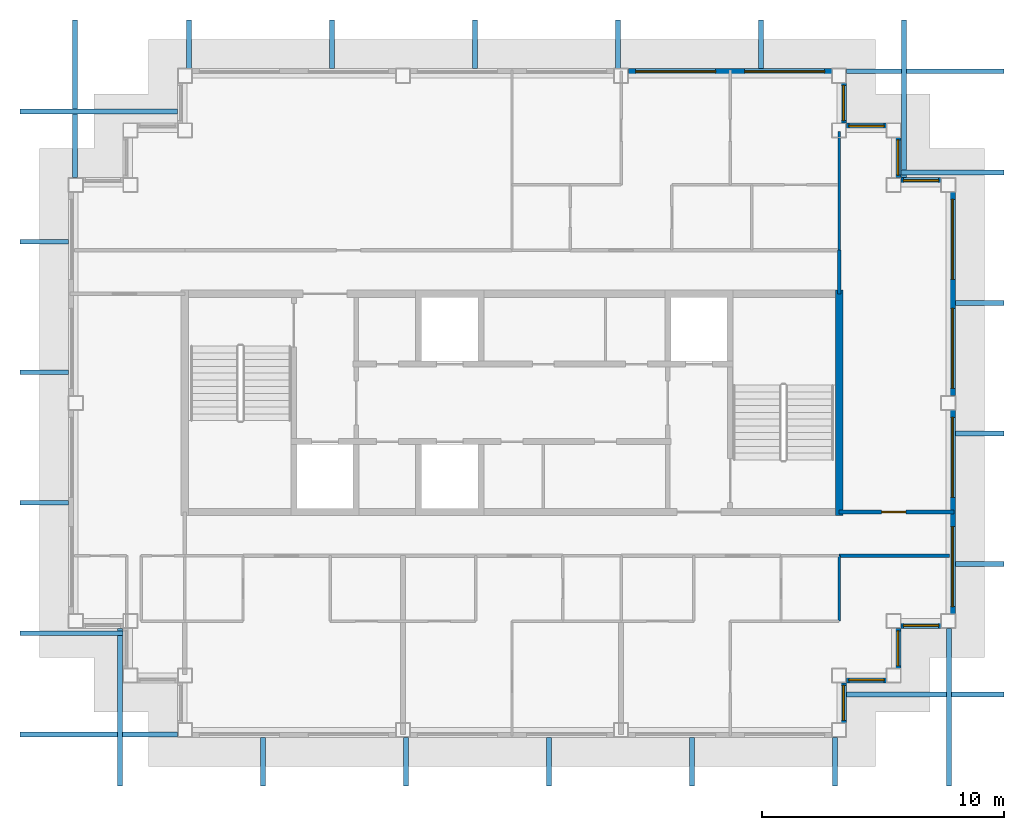
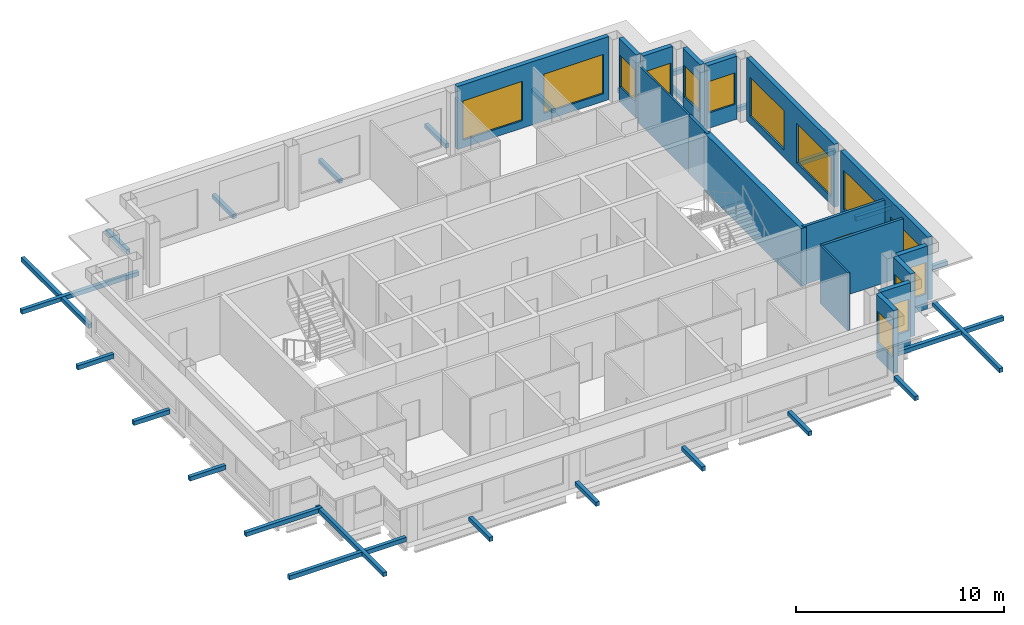
# One storey, part 5 of 10: 26 discrete accessories, 17 walls, 14 windows, 1 door, 15 openings.
"""IFC4 building model written with IfcOpenShell, lengths in metres."""

from ifc_helpers import new_model, si_unit, direction, frame, frame_2d, origin, origin_2d, place, context, subcontext, project, spatial, rectangle, extrude, material, layer, layer_set, type_object, element, fill, save


model = new_model("IFC4")

# Units and contexts
model_context = context("Model", 3, precision=1e-05, world=origin(), true_north=direction((0.0, 1.0)))
body_context = subcontext(model_context, "Body", "Model", "MODEL_VIEW")
ifc_project = project(units=[si_unit("LENGTHUNIT", "METRE"), si_unit("AREAUNIT", "SQUARE_METRE"), si_unit("VOLUMEUNIT", "CUBIC_METRE"), si_unit("PLANEANGLEUNIT", "RADIAN"), si_unit("MASSUNIT", "GRAM", prefix="KILO")], contexts=[model_context])

# Site, building, storey
site_placement = place(None, origin())
site = spatial("IfcSite", under=ifc_project, at=site_placement, CompositionType="ELEMENT")
building_placement = place(site_placement, origin())
building = spatial("IfcBuilding", under=site, at=building_placement, Name="Caravel Reach Hotel and Residences", CompositionType="ELEMENT")
storey_placement = place(building_placement, frame((0.0, 0.0, 290.800048828125)))
storey = spatial("IfcBuildingStorey", under=building, at=storey_placement, Name="L74", CompositionType="ELEMENT", Elevation=290.800048828125)

# Walls
ifc_material_1 = material(Name="Gypsum board on steel stud", Category="steel")
ifc_layer_1 = layer(ifc_material_1, 0.10009765625)
ifc_layer_set_1 = layer_set([ifc_layer_1], Name="Bathroom pod wall 100 mm")
wall_type_1 = type_object("IfcWallType", Name="Bathroom pod wall 100 mm", PredefinedType="PARTITIONING", material=ifc_layer_set_1)
wall_1_placement = place(storey_placement, frame((45.0, 18.0, 0.0), z_axis=(0.0, 0.0, 1.0), x_axis=(0.0, 1.0, 0.0)))
element("IfcWall", 1, at=wall_1_placement, inside=storey, type_object=wall_type_1, Name="L74 wall w062", PredefinedType="PARTITIONING", context=body_context, shape_type="SweptSolid", body=[
    extrude(rectangle(XDim=2.698974609375, YDim=0.10009765625, at=frame_2d((1.349609375, 0.0))), origin(), (0.0, 0.0, 1.0), 3.39990234375),
])
ifc_material_2 = material(Name="Concrete C60", Category="concrete")
ifc_layer_2 = layer(ifc_material_2, 0.300048828125)
ifc_layer_set_2 = layer_set([ifc_layer_2], Name="Core wall 300 mm EI 120")
wall_type_2 = type_object("IfcWallType", Name="Core wall 300 mm EI 120", PredefinedType="SHEAR", material=ifc_layer_set_2)
wall_2_placement = place(storey_placement, frame((45.0, 22.35009765625, 0.0), z_axis=(0.0, 0.0, 1.0), x_axis=(0.0, 1.0, 0.0)))
element("IfcWall", 2, at=wall_2_placement, inside=storey, type_object=wall_type_2, Name="L74 core wall E", PredefinedType="SHEAR", context=body_context, shape_type="SweptSolid", body=[
    extrude(rectangle(XDim=9.2998046875, YDim=0.300048828125, at=frame_2d((4.64990234375, 0.0))), origin(), (0.0, 0.0, 1.0), 3.39990234375),
])
ifc_material_3 = material(Name="Gypsum board on steel stud, fire-rated", Category="steel")
ifc_layer_3 = layer(ifc_material_3, 0.14990234375)
ifc_layer_set_3 = layer_set([ifc_layer_3], Name="Corridor wall 150 mm EI 60")
wall_type_3 = type_object("IfcWallType", Name="Corridor wall 150 mm EI 60", PredefinedType="PARTITIONING", material=ifc_layer_set_3)
wall_3_placement = place(storey_placement, frame((45.0009765625, 20.699951171875, 0.0), z_axis=(0.0, 0.0, 1.0), x_axis=(1.0, 0.0, 0.0)))
element("IfcWall", 3, at=wall_3_placement, inside=storey, type_object=wall_type_3, Name="L74 wall w005", PredefinedType="PARTITIONING", context=body_context, shape_type="SweptSolid", body=[
    extrude(rectangle(XDim=4.549072265625, YDim=0.14990234375, at=frame_2d((2.2744140625, 0.0))), origin(), (0.0, 0.0, 1.0), 3.39990234375),
])

# Wall, opening, door
wall_4_placement = place(storey_placement, frame((45.0, 22.5, 0.0), z_axis=(0.0, 0.0, 1.0), x_axis=(1.0, 0.0, 0.0)))
wall_4 = element("IfcWall", 4, at=wall_4_placement, inside=storey, type_object=wall_type_3, Name="L74 wall w008", PredefinedType="PARTITIONING", context=body_context, shape_type="SweptSolid", body=[
    extrude(rectangle(XDim=4.739990234375, YDim=0.14990234375, at=frame_2d((2.3701171875, 0.0))), origin(), (0.0, 0.0, 1.0), 3.39990234375),
])
opening_1_placement = place(wall_4_placement, frame((1.75, 0.0, 0.0)))
opening_1 = element("IfcOpeningElement", 5, at=opening_1_placement, cuts=wall_4, Name="Opening D74-038", PredefinedType="OPENING", context=body_context, shape_type="SweptSolid", body=[
    extrude(rectangle(XDim=1.0, YDim=2.10009765625, at=frame_2d((0.5, 1.050048828125))), frame((0.0, 0.0849609375, 0.0), z_axis=(0.0, -1.0, 0.0), x_axis=(1.0, 0.0, 0.0)), (0.0, 0.0, 1.0), 0.169921875),
])
ifc_material_4 = material(Name="Steel fire door leaf", Category="steel")
door_type = type_object("IfcDoorType", Name="Fire door 1000 x 2100 EI 60", OperationType="SINGLE_SWING_LEFT", PredefinedType="DOOR", material=ifc_material_4)
door_placement = place(opening_1_placement, origin())
door = element("IfcDoor", 6, at=door_placement, inside=storey, type_object=door_type, Name="door D74-038", OperationType="SINGLE_SWING_LEFT", OverallHeight=2.10009765625, OverallWidth=1.0, PredefinedType="DOOR", context=body_context, shape_type="SweptSolid", body=[
    extrude(rectangle(XDim=1.0, YDim=2.10009765625, at=frame_2d((0.5, 1.050048828125))), frame((0.0, 0.02490234375, 0.0), z_axis=(0.0, -1.0, 0.0), x_axis=(1.0, 0.0, 0.0)), (0.0, 0.0, 1.0), 0.050048828125),
])
fill(opening_1, door)

# Wall
wall_5_placement = place(storey_placement, frame((45.0, 31.5, 0.0), z_axis=(0.0, 0.0, 1.0), x_axis=(0.0, 1.0, 0.0)))
element("IfcWall", 7, at=wall_5_placement, inside=storey, type_object=wall_type_3, Name="L74 wall w016", PredefinedType="PARTITIONING", context=body_context, shape_type="SweptSolid", body=[
    extrude(rectangle(XDim=1.800048828125, YDim=0.14990234375, at=frame_2d((0.89990234375, 0.0))), origin(), (0.0, 0.0, 1.0), 3.39990234375),
])

# Wall, opening, window
ifc_material_5 = material(Name="Insulated rainscreen wall, aluminium cladding", Category="aluminium")
ifc_layer_4 = layer(ifc_material_5, 0.25)
ifc_layer_set_4 = layer_set([ifc_layer_4], Name="EW1 Tower rainscreen wall")
wall_type_4 = type_object("IfcWallType", Name="EW1 Tower rainscreen wall", PredefinedType="SOLIDWALL", material=ifc_layer_set_4)
wall_6_placement = place(storey_placement, frame((45.175048828125, 13.800048828125, 0.0), z_axis=(0.0, 0.0, 1.0), x_axis=(0.0, 1.0, 0.0)))
wall_6 = element("IfcWall", 8, at=wall_6_placement, inside=storey, type_object=wall_type_4, Name="External wall L74 E1.1", PredefinedType="SOLIDWALL", context=body_context, shape_type="SweptSolid", body=[
    extrude(rectangle(XDim=1.64990234375, YDim=0.25, at=frame_2d((0.824951171875, 0.0))), origin(), (0.0, 0.0, 1.0), 3.699951171875),
])
opening_2_placement = place(wall_6_placement, frame((0.10009765625, 0.0, 0.89990234375)))
opening_2 = element("IfcOpeningElement", 9, at=opening_2_placement, cuts=wall_6, Name="Opening WN25", PredefinedType="OPENING", context=body_context, shape_type="SweptSolid", body=[
    extrude(rectangle(XDim=1.449951171875, YDim=1.85009765625, at=frame_2d((0.72509765625, 0.925048828125))), frame((0.0, 0.135009765625, 0.0), z_axis=(0.0, -1.0, 0.0), x_axis=(1.0, 0.0, 0.0)), (0.0, 0.0, 1.0), 0.27001953125),
])
ifc_material_6 = material(Name="Dark low-e glazing in black aluminium frame", Category="aluminium")
window_type_1 = type_object("IfcWindowType", Name="Residence bedroom window 1450 x 1850", PartitioningType="SINGLE_PANEL", PredefinedType="WINDOW", material=ifc_material_6)
window_1_placement = place(opening_2_placement, origin())
window_1 = element("IfcWindow", 10, at=window_1_placement, inside=storey, type_object=window_type_1, Name="Window L74 E1.1.1", OverallHeight=1.85009765625, OverallWidth=1.449951171875, PartitioningType="SINGLE_PANEL", PredefinedType="WINDOW", context=body_context, shape_type="SweptSolid", body=[
    extrude(rectangle(XDim=1.449951171875, YDim=1.85009765625, at=frame_2d((0.72509765625, 0.925048828125))), frame((0.0, 0.030029296875, 0.0), z_axis=(0.0, -1.0, 0.0), x_axis=(1.0, 0.0, 0.0)), (0.0, 0.0, 1.0), 0.06005859375),
])
fill(opening_2, window_1)

wall_7_placement = place(storey_placement, frame((45.300048828125, 15.574951171875, 0.0), z_axis=(0.0, 0.0, 1.0), x_axis=(1.0, 0.0, 0.0)))
wall_7 = element("IfcWall", 11, at=wall_7_placement, inside=storey, type_object=wall_type_4, Name="External wall L74 S2.1", PredefinedType="SOLIDWALL", context=body_context, shape_type="SweptSolid", body=[
    extrude(rectangle(XDim=1.64990234375, YDim=0.25, at=frame_2d((0.824951171875, 0.0))), origin(), (0.0, 0.0, 1.0), 3.699951171875),
])
opening_3_placement = place(wall_7_placement, frame((0.10009765625, 0.0, 0.89990234375)))
opening_3 = element("IfcOpeningElement", 12, at=opening_3_placement, cuts=wall_7, Name="Opening WN25", PredefinedType="OPENING", context=body_context, shape_type="SweptSolid", body=[
    extrude(rectangle(XDim=1.449951171875, YDim=1.85009765625, at=frame_2d((0.72509765625, 0.925048828125))), frame((0.0, 0.135009765625, 0.0), z_axis=(0.0, -1.0, 0.0), x_axis=(1.0, 0.0, 0.0)), (0.0, 0.0, 1.0), 0.27001953125),
])
window_2_placement = place(opening_3_placement, origin())
window_2 = element("IfcWindow", 13, at=window_2_placement, inside=storey, type_object=window_type_1, Name="Window L74 S2.1.1", OverallHeight=1.85009765625, OverallWidth=1.449951171875, PartitioningType="SINGLE_PANEL", PredefinedType="WINDOW", context=body_context, shape_type="SweptSolid", body=[
    extrude(rectangle(XDim=1.449951171875, YDim=1.85009765625, at=frame_2d((0.72509765625, 0.925048828125))), frame((0.0, 0.030029296875, 0.0), z_axis=(0.0, -1.0, 0.0), x_axis=(1.0, 0.0, 0.0)), (0.0, 0.0, 1.0), 0.06005859375),
])
fill(opening_3, window_2)

wall_8_placement = place(storey_placement, frame((47.425048828125, 16.050048828125, 0.0), z_axis=(0.0, 0.0, 1.0), x_axis=(0.0, 1.0, 0.0)))
wall_8 = element("IfcWall", 14, at=wall_8_placement, inside=storey, type_object=wall_type_4, Name="External wall L74 E3.1", PredefinedType="SOLIDWALL", context=body_context, shape_type="SweptSolid", body=[
    extrude(rectangle(XDim=1.64990234375, YDim=0.25, at=frame_2d((0.824951171875, 0.0))), origin(), (0.0, 0.0, 1.0), 3.699951171875),
])
opening_4_placement = place(wall_8_placement, frame((0.10009765625, 0.0, 0.89990234375)))
opening_4 = element("IfcOpeningElement", 15, at=opening_4_placement, cuts=wall_8, Name="Opening WN25", PredefinedType="OPENING", context=body_context, shape_type="SweptSolid", body=[
    extrude(rectangle(XDim=1.449951171875, YDim=1.85009765625, at=frame_2d((0.72509765625, 0.925048828125))), frame((0.0, 0.135009765625, 0.0), z_axis=(0.0, -1.0, 0.0), x_axis=(1.0, 0.0, 0.0)), (0.0, 0.0, 1.0), 0.27001953125),
])
window_3_placement = place(opening_4_placement, origin())
window_3 = element("IfcWindow", 16, at=window_3_placement, inside=storey, type_object=window_type_1, Name="Window L74 E3.1.1", OverallHeight=1.85009765625, OverallWidth=1.449951171875, PartitioningType="SINGLE_PANEL", PredefinedType="WINDOW", context=body_context, shape_type="SweptSolid", body=[
    extrude(rectangle(XDim=1.449951171875, YDim=1.85009765625, at=frame_2d((0.72509765625, 0.925048828125))), frame((0.0, 0.030029296875, 0.0), z_axis=(0.0, -1.0, 0.0), x_axis=(1.0, 0.0, 0.0)), (0.0, 0.0, 1.0), 0.06005859375),
])
fill(opening_4, window_3)

wall_9_placement = place(storey_placement, frame((47.550048828125, 17.824951171875, 0.0), z_axis=(0.0, 0.0, 1.0), x_axis=(1.0, 0.0, 0.0)))
wall_9 = element("IfcWall", 17, at=wall_9_placement, inside=storey, type_object=wall_type_4, Name="External wall L74 S4.1", PredefinedType="SOLIDWALL", context=body_context, shape_type="SweptSolid", body=[
    extrude(rectangle(XDim=1.64990234375, YDim=0.25, at=frame_2d((0.824951171875, 0.0))), origin(), (0.0, 0.0, 1.0), 3.699951171875),
])
opening_5_placement = place(wall_9_placement, frame((0.10009765625, 0.0, 0.89990234375)))
opening_5 = element("IfcOpeningElement", 18, at=opening_5_placement, cuts=wall_9, Name="Opening WN25", PredefinedType="OPENING", context=body_context, shape_type="SweptSolid", body=[
    extrude(rectangle(XDim=1.449951171875, YDim=1.85009765625, at=frame_2d((0.72509765625, 0.925048828125))), frame((0.0, 0.135009765625, 0.0), z_axis=(0.0, -1.0, 0.0), x_axis=(1.0, 0.0, 0.0)), (0.0, 0.0, 1.0), 0.27001953125),
])
window_4_placement = place(opening_5_placement, origin())
window_4 = element("IfcWindow", 19, at=window_4_placement, inside=storey, type_object=window_type_1, Name="Window L74 S4.1.1", OverallHeight=1.85009765625, OverallWidth=1.449951171875, PartitioningType="SINGLE_PANEL", PredefinedType="WINDOW", context=body_context, shape_type="SweptSolid", body=[
    extrude(rectangle(XDim=1.449951171875, YDim=1.85009765625, at=frame_2d((0.72509765625, 0.925048828125))), frame((0.0, 0.030029296875, 0.0), z_axis=(0.0, -1.0, 0.0), x_axis=(1.0, 0.0, 0.0)), (0.0, 0.0, 1.0), 0.06005859375),
])
fill(opening_5, window_4)

# Wall, openings, windows
wall_10_placement = place(storey_placement, frame((49.675048828125, 18.300048828125, 0.0), z_axis=(0.0, 0.0, 1.0), x_axis=(0.0, 1.0, 0.0)))
wall_10 = element("IfcWall", 20, at=wall_10_placement, inside=storey, type_object=wall_type_4, Name="External wall L74 E5.1", PredefinedType="SOLIDWALL", context=body_context, shape_type="SweptSolid", body=[
    extrude(rectangle(XDim=8.39990234375, YDim=0.25, at=frame_2d((4.199951171875, 0.0))), origin(), (0.0, 0.0, 1.0), 3.699951171875),
])
opening_6_placement = place(wall_10_placement, frame((0.300048828125, 0.0, 0.449951171875)))
opening_6 = element("IfcOpeningElement", 21, at=opening_6_placement, cuts=wall_10, Name="Opening WN15", PredefinedType="OPENING", context=body_context, shape_type="SweptSolid", body=[
    extrude(rectangle(XDim=3.300048828125, YDim=2.300048828125, at=frame_2d((1.64990234375, 1.14990234375))), frame((0.0, 0.135009765625, 0.0), z_axis=(0.0, -1.0, 0.0), x_axis=(1.0, 0.0, 0.0)), (0.0, 0.0, 1.0), 0.27001953125),
])
opening_7_placement = place(wall_10_placement, frame((4.800048828125, 0.0, 0.449951171875)))
opening_7 = element("IfcOpeningElement", 22, at=opening_7_placement, cuts=wall_10, Name="Opening WN15", PredefinedType="OPENING", context=body_context, shape_type="SweptSolid", body=[
    extrude(rectangle(XDim=3.300048828125, YDim=2.300048828125, at=frame_2d((1.64990234375, 1.14990234375))), frame((0.0, 0.135009765625, 0.0), z_axis=(0.0, -1.0, 0.0), x_axis=(1.0, 0.0, 0.0)), (0.0, 0.0, 1.0), 0.27001953125),
])
ifc_material_7 = material(Name="Dark low-e glazing in black aluminium frame", Category="aluminium")
window_type_2 = type_object("IfcWindowType", Name="Residence living window 3300 x 2300", PartitioningType="SINGLE_PANEL", PredefinedType="WINDOW", material=ifc_material_7)
window_5_placement = place(opening_6_placement, origin())
window_5 = element("IfcWindow", 23, at=window_5_placement, inside=storey, type_object=window_type_2, Name="Window L74 E5.1.1", OverallHeight=2.300048828125, OverallWidth=3.300048828125, PartitioningType="SINGLE_PANEL", PredefinedType="WINDOW", context=body_context, shape_type="SweptSolid", body=[
    extrude(rectangle(XDim=3.300048828125, YDim=2.300048828125, at=frame_2d((1.64990234375, 1.14990234375))), frame((0.0, 0.030029296875, 0.0), z_axis=(0.0, -1.0, 0.0), x_axis=(1.0, 0.0, 0.0)), (0.0, 0.0, 1.0), 0.06005859375),
])
fill(opening_6, window_5)
window_6_placement = place(opening_7_placement, origin())
window_6 = element("IfcWindow", 24, at=window_6_placement, inside=storey, type_object=window_type_2, Name="Window L74 E5.1.2", OverallHeight=2.300048828125, OverallWidth=3.300048828125, PartitioningType="SINGLE_PANEL", PredefinedType="WINDOW", context=body_context, shape_type="SweptSolid", body=[
    extrude(rectangle(XDim=3.300048828125, YDim=2.300048828125, at=frame_2d((1.64990234375, 1.14990234375))), frame((0.0, 0.030029296875, 0.0), z_axis=(0.0, -1.0, 0.0), x_axis=(1.0, 0.0, 0.0)), (0.0, 0.0, 1.0), 0.06005859375),
])
fill(opening_7, window_6)

wall_11_placement = place(storey_placement, frame((49.675048828125, 27.300048828125, 0.0), z_axis=(0.0, 0.0, 1.0), x_axis=(0.0, 1.0, 0.0)))
wall_11 = element("IfcWall", 25, at=wall_11_placement, inside=storey, type_object=wall_type_4, Name="External wall L74 E5.2", PredefinedType="SOLIDWALL", context=body_context, shape_type="SweptSolid", body=[
    extrude(rectangle(XDim=8.39990234375, YDim=0.25, at=frame_2d((4.199951171875, 0.0))), origin(), (0.0, 0.0, 1.0), 3.699951171875),
])
opening_8_placement = place(wall_11_placement, frame((0.300048828125, 0.0, 0.449951171875)))
opening_8 = element("IfcOpeningElement", 26, at=opening_8_placement, cuts=wall_11, Name="Opening WN15", PredefinedType="OPENING", context=body_context, shape_type="SweptSolid", body=[
    extrude(rectangle(XDim=3.300048828125, YDim=2.300048828125, at=frame_2d((1.64990234375, 1.14990234375))), frame((0.0, 0.135009765625, 0.0), z_axis=(0.0, -1.0, 0.0), x_axis=(1.0, 0.0, 0.0)), (0.0, 0.0, 1.0), 0.27001953125),
])
opening_9_placement = place(wall_11_placement, frame((4.800048828125, 0.0, 0.449951171875)))
opening_9 = element("IfcOpeningElement", 27, at=opening_9_placement, cuts=wall_11, Name="Opening WN15", PredefinedType="OPENING", context=body_context, shape_type="SweptSolid", body=[
    extrude(rectangle(XDim=3.300048828125, YDim=2.300048828125, at=frame_2d((1.64990234375, 1.14990234375))), frame((0.0, 0.135009765625, 0.0), z_axis=(0.0, -1.0, 0.0), x_axis=(1.0, 0.0, 0.0)), (0.0, 0.0, 1.0), 0.27001953125),
])
window_7_placement = place(opening_8_placement, origin())
window_7 = element("IfcWindow", 28, at=window_7_placement, inside=storey, type_object=window_type_2, Name="Window L74 E5.2.1", OverallHeight=2.300048828125, OverallWidth=3.300048828125, PartitioningType="SINGLE_PANEL", PredefinedType="WINDOW", context=body_context, shape_type="SweptSolid", body=[
    extrude(rectangle(XDim=3.300048828125, YDim=2.300048828125, at=frame_2d((1.64990234375, 1.14990234375))), frame((0.0, 0.030029296875, 0.0), z_axis=(0.0, -1.0, 0.0), x_axis=(1.0, 0.0, 0.0)), (0.0, 0.0, 1.0), 0.06005859375),
])
fill(opening_8, window_7)
window_8_placement = place(opening_9_placement, origin())
window_8 = element("IfcWindow", 29, at=window_8_placement, inside=storey, type_object=window_type_2, Name="Window L74 E5.2.2", OverallHeight=2.300048828125, OverallWidth=3.300048828125, PartitioningType="SINGLE_PANEL", PredefinedType="WINDOW", context=body_context, shape_type="SweptSolid", body=[
    extrude(rectangle(XDim=3.300048828125, YDim=2.300048828125, at=frame_2d((1.64990234375, 1.14990234375))), frame((0.0, 0.030029296875, 0.0), z_axis=(0.0, -1.0, 0.0), x_axis=(1.0, 0.0, 0.0)), (0.0, 0.0, 1.0), 0.06005859375),
])
fill(opening_9, window_8)

# Wall, opening, window
wall_12_placement = place(storey_placement, frame((49.199951171875, 36.175048828125, 0.0), z_axis=(0.0, 0.0, 1.0), x_axis=(-1.0, 0.0, 0.0)))
wall_12 = element("IfcWall", 30, at=wall_12_placement, inside=storey, type_object=wall_type_4, Name="External wall L74 N6.1", PredefinedType="SOLIDWALL", context=body_context, shape_type="SweptSolid", body=[
    extrude(rectangle(XDim=1.64990234375, YDim=0.25, at=frame_2d((0.824951171875, 0.0))), origin(), (0.0, 0.0, 1.0), 3.699951171875),
])
opening_10_placement = place(wall_12_placement, frame((0.10009765625, 0.0, 0.89990234375)))
opening_10 = element("IfcOpeningElement", 31, at=opening_10_placement, cuts=wall_12, Name="Opening WN25", PredefinedType="OPENING", context=body_context, shape_type="SweptSolid", body=[
    extrude(rectangle(XDim=1.449951171875, YDim=1.85009765625, at=frame_2d((0.72509765625, 0.925048828125))), frame((0.0, 0.135009765625, 0.0), z_axis=(0.0, -1.0, 0.0), x_axis=(1.0, 0.0, 0.0)), (0.0, 0.0, 1.0), 0.27001953125),
])
window_9_placement = place(opening_10_placement, origin())
window_9 = element("IfcWindow", 32, at=window_9_placement, inside=storey, type_object=window_type_1, Name="Window L74 N6.1.1", OverallHeight=1.85009765625, OverallWidth=1.449951171875, PartitioningType="SINGLE_PANEL", PredefinedType="WINDOW", context=body_context, shape_type="SweptSolid", body=[
    extrude(rectangle(XDim=1.449951171875, YDim=1.85009765625, at=frame_2d((0.72509765625, 0.925048828125))), frame((0.0, 0.030029296875, 0.0), z_axis=(0.0, -1.0, 0.0), x_axis=(1.0, 0.0, 0.0)), (0.0, 0.0, 1.0), 0.06005859375),
])
fill(opening_10, window_9)

wall_13_placement = place(storey_placement, frame((47.425048828125, 36.300048828125, 0.0), z_axis=(0.0, 0.0, 1.0), x_axis=(0.0, 1.0, 0.0)))
wall_13 = element("IfcWall", 33, at=wall_13_placement, inside=storey, type_object=wall_type_4, Name="External wall L74 E7.1", PredefinedType="SOLIDWALL", context=body_context, shape_type="SweptSolid", body=[
    extrude(rectangle(XDim=1.64990234375, YDim=0.25, at=frame_2d((0.824951171875, 0.0))), origin(), (0.0, 0.0, 1.0), 3.699951171875),
])
opening_11_placement = place(wall_13_placement, frame((0.10009765625, 0.0, 0.89990234375)))
opening_11 = element("IfcOpeningElement", 34, at=opening_11_placement, cuts=wall_13, Name="Opening WN25", PredefinedType="OPENING", context=body_context, shape_type="SweptSolid", body=[
    extrude(rectangle(XDim=1.449951171875, YDim=1.85009765625, at=frame_2d((0.72509765625, 0.925048828125))), frame((0.0, 0.135009765625, 0.0), z_axis=(0.0, -1.0, 0.0), x_axis=(1.0, 0.0, 0.0)), (0.0, 0.0, 1.0), 0.27001953125),
])
window_10_placement = place(opening_11_placement, origin())
window_10 = element("IfcWindow", 35, at=window_10_placement, inside=storey, type_object=window_type_1, Name="Window L74 E7.1.1", OverallHeight=1.85009765625, OverallWidth=1.449951171875, PartitioningType="SINGLE_PANEL", PredefinedType="WINDOW", context=body_context, shape_type="SweptSolid", body=[
    extrude(rectangle(XDim=1.449951171875, YDim=1.85009765625, at=frame_2d((0.72509765625, 0.925048828125))), frame((0.0, 0.030029296875, 0.0), z_axis=(0.0, -1.0, 0.0), x_axis=(1.0, 0.0, 0.0)), (0.0, 0.0, 1.0), 0.06005859375),
])
fill(opening_11, window_10)

wall_14_placement = place(storey_placement, frame((46.949951171875, 38.425048828125, 0.0), z_axis=(0.0, 0.0, 1.0), x_axis=(-1.0, 0.0, 0.0)))
wall_14 = element("IfcWall", 36, at=wall_14_placement, inside=storey, type_object=wall_type_4, Name="External wall L74 N8.1", PredefinedType="SOLIDWALL", context=body_context, shape_type="SweptSolid", body=[
    extrude(rectangle(XDim=1.64990234375, YDim=0.25, at=frame_2d((0.824951171875, 0.0))), origin(), (0.0, 0.0, 1.0), 3.699951171875),
])
opening_12_placement = place(wall_14_placement, frame((0.10009765625, 0.0, 0.89990234375)))
opening_12 = element("IfcOpeningElement", 37, at=opening_12_placement, cuts=wall_14, Name="Opening WN25", PredefinedType="OPENING", context=body_context, shape_type="SweptSolid", body=[
    extrude(rectangle(XDim=1.449951171875, YDim=1.85009765625, at=frame_2d((0.72509765625, 0.925048828125))), frame((0.0, 0.135009765625, 0.0), z_axis=(0.0, -1.0, 0.0), x_axis=(1.0, 0.0, 0.0)), (0.0, 0.0, 1.0), 0.27001953125),
])
window_11_placement = place(opening_12_placement, origin())
window_11 = element("IfcWindow", 38, at=window_11_placement, inside=storey, type_object=window_type_1, Name="Window L74 N8.1.1", OverallHeight=1.85009765625, OverallWidth=1.449951171875, PartitioningType="SINGLE_PANEL", PredefinedType="WINDOW", context=body_context, shape_type="SweptSolid", body=[
    extrude(rectangle(XDim=1.449951171875, YDim=1.85009765625, at=frame_2d((0.72509765625, 0.925048828125))), frame((0.0, 0.030029296875, 0.0), z_axis=(0.0, -1.0, 0.0), x_axis=(1.0, 0.0, 0.0)), (0.0, 0.0, 1.0), 0.06005859375),
])
fill(opening_12, window_11)

wall_15_placement = place(storey_placement, frame((45.175048828125, 38.550048828125, 0.0), z_axis=(0.0, 0.0, 1.0), x_axis=(0.0, 1.0, 0.0)))
wall_15 = element("IfcWall", 39, at=wall_15_placement, inside=storey, type_object=wall_type_4, Name="External wall L74 E9.1", PredefinedType="SOLIDWALL", context=body_context, shape_type="SweptSolid", body=[
    extrude(rectangle(XDim=1.64990234375, YDim=0.25, at=frame_2d((0.824951171875, 0.0))), origin(), (0.0, 0.0, 1.0), 3.699951171875),
])
opening_13_placement = place(wall_15_placement, frame((0.10009765625, 0.0, 0.89990234375)))
opening_13 = element("IfcOpeningElement", 40, at=opening_13_placement, cuts=wall_15, Name="Opening WN25", PredefinedType="OPENING", context=body_context, shape_type="SweptSolid", body=[
    extrude(rectangle(XDim=1.449951171875, YDim=1.85009765625, at=frame_2d((0.72509765625, 0.925048828125))), frame((0.0, 0.135009765625, 0.0), z_axis=(0.0, -1.0, 0.0), x_axis=(1.0, 0.0, 0.0)), (0.0, 0.0, 1.0), 0.27001953125),
])
window_12_placement = place(opening_13_placement, origin())
window_12 = element("IfcWindow", 41, at=window_12_placement, inside=storey, type_object=window_type_1, Name="Window L74 E9.1.1", OverallHeight=1.85009765625, OverallWidth=1.449951171875, PartitioningType="SINGLE_PANEL", PredefinedType="WINDOW", context=body_context, shape_type="SweptSolid", body=[
    extrude(rectangle(XDim=1.449951171875, YDim=1.85009765625, at=frame_2d((0.72509765625, 0.925048828125))), frame((0.0, 0.030029296875, 0.0), z_axis=(0.0, -1.0, 0.0), x_axis=(1.0, 0.0, 0.0)), (0.0, 0.0, 1.0), 0.06005859375),
])
fill(opening_13, window_12)

# Wall, openings, windows
wall_16_placement = place(storey_placement, frame((44.699951171875, 40.675048828125, 0.0), z_axis=(0.0, 0.0, 1.0), x_axis=(-1.0, 0.0, 0.0)))
wall_16 = element("IfcWall", 42, at=wall_16_placement, inside=storey, type_object=wall_type_4, Name="External wall L74 N10.1", PredefinedType="SOLIDWALL", context=body_context, shape_type="SweptSolid", body=[
    extrude(rectangle(XDim=8.39990234375, YDim=0.25, at=frame_2d((4.199951171875, 0.0))), origin(), (0.0, 0.0, 1.0), 3.699951171875),
])
opening_14_placement = place(wall_16_placement, frame((0.300048828125, 0.0, 0.449951171875)))
opening_14 = element("IfcOpeningElement", 43, at=opening_14_placement, cuts=wall_16, Name="Opening WN15", PredefinedType="OPENING", context=body_context, shape_type="SweptSolid", body=[
    extrude(rectangle(XDim=3.300048828125, YDim=2.300048828125, at=frame_2d((1.64990234375, 1.14990234375))), frame((0.0, 0.135009765625, 0.0), z_axis=(0.0, -1.0, 0.0), x_axis=(1.0, 0.0, 0.0)), (0.0, 0.0, 1.0), 0.27001953125),
])
opening_15_placement = place(wall_16_placement, frame((4.800048828125, 0.0, 0.449951171875)))
opening_15 = element("IfcOpeningElement", 44, at=opening_15_placement, cuts=wall_16, Name="Opening WN15", PredefinedType="OPENING", context=body_context, shape_type="SweptSolid", body=[
    extrude(rectangle(XDim=3.300048828125, YDim=2.300048828125, at=frame_2d((1.64990234375, 1.14990234375))), frame((0.0, 0.135009765625, 0.0), z_axis=(0.0, -1.0, 0.0), x_axis=(1.0, 0.0, 0.0)), (0.0, 0.0, 1.0), 0.27001953125),
])
window_13_placement = place(opening_14_placement, origin())
window_13 = element("IfcWindow", 45, at=window_13_placement, inside=storey, type_object=window_type_2, Name="Window L74 N10.1.1", OverallHeight=2.300048828125, OverallWidth=3.300048828125, PartitioningType="SINGLE_PANEL", PredefinedType="WINDOW", context=body_context, shape_type="SweptSolid", body=[
    extrude(rectangle(XDim=3.300048828125, YDim=2.300048828125, at=frame_2d((1.64990234375, 1.14990234375))), frame((0.0, 0.030029296875, 0.0), z_axis=(0.0, -1.0, 0.0), x_axis=(1.0, 0.0, 0.0)), (0.0, 0.0, 1.0), 0.06005859375),
])
fill(opening_14, window_13)
window_14_placement = place(opening_15_placement, origin())
window_14 = element("IfcWindow", 46, at=window_14_placement, inside=storey, type_object=window_type_2, Name="Window L74 N10.1.2", OverallHeight=2.300048828125, OverallWidth=3.300048828125, PartitioningType="SINGLE_PANEL", PredefinedType="WINDOW", context=body_context, shape_type="SweptSolid", body=[
    extrude(rectangle(XDim=3.300048828125, YDim=2.300048828125, at=frame_2d((1.64990234375, 1.14990234375))), frame((0.0, 0.030029296875, 0.0), z_axis=(0.0, -1.0, 0.0), x_axis=(1.0, 0.0, 0.0)), (0.0, 0.0, 1.0), 0.06005859375),
])
fill(opening_15, window_14)

# Wall
ifc_material_8 = material(Name="Gypsum board on steel stud", Category="steel")
ifc_layer_5 = layer(ifc_material_8, 0.10009765625)
ifc_layer_set_5 = layer_set([ifc_layer_5], Name="Partition 100 mm")
wall_type_5 = type_object("IfcWallType", Name="Partition 100 mm", PredefinedType="PARTITIONING", material=ifc_layer_set_5)
wall_17_placement = place(storey_placement, frame((45.0, 33.300048828125, 0.0), z_axis=(0.0, 0.0, 1.0), x_axis=(0.0, 1.0, 0.0)))
element("IfcWall", 47, at=wall_17_placement, inside=storey, type_object=wall_type_5, Name="L74 wall w040", PredefinedType="PARTITIONING", context=body_context, shape_type="SweptSolid", body=[
    extrude(rectangle(XDim=4.89990234375, YDim=0.10009765625, at=frame_2d((2.449951171875, 0.0))), origin(), (0.0, 0.0, 1.0), 3.39990234375),
])

# Discrete accessories
ifc_material_9 = material(Name="Black powder-coated aluminium", Category="aluminium")
discrete_accessory_type = type_object("IfcDiscreteAccessoryType", Name="BR1 Screen bracket", PredefinedType="BRACKET", material=ifc_material_9)
discrete_accessory_1_placement = place(storey_placement, frame((48.550048828125, 14.96826171875, 0.099853515625), z_axis=(0.0, 0.0, 1.0), x_axis=(1.0, 0.0, 0.0)))
element("IfcDiscreteAccessory", 48, at=discrete_accessory_1_placement, inside=storey, type_object=discrete_accessory_type, Name="Screen bracket L74 1.1.2", PredefinedType="BRACKET", context=body_context, shape_type="SweptSolid", body=[
    extrude(rectangle(XDim=6.5, YDim=0.199951171875, at=origin_2d()), origin(), (0.0, 0.0, 1.0), 0.25),
])
for number, where, z_axis, x_axis, name in (
    (49, (50.800048828125, 20.3515625, 0.099853515625), (0.0, 0.0, 1.0), (1.0, 0.0, 0.0), "Screen bracket L74 1.2.2"),
    (50, (50.800048828125, 25.735107421875, 0.099853515625), (0.0, 0.0, 1.0), (1.0, 0.0, 0.0), "Screen bracket L74 1.3.2"),
    (51, (50.800048828125, 31.118408203125, 0.099853515625), (0.0, 0.0, 1.0), (1.0, 0.0, 0.0), "Screen bracket L74 1.4.2"),
):
    element("IfcDiscreteAccessory", number, at=place(storey_placement, frame(where, z_axis=z_axis, x_axis=x_axis)), inside=storey, type_object=discrete_accessory_type, Name=name, PredefinedType="BRACKET", context=body_context, shape_type="SweptSolid", body=[
        extrude(rectangle(XDim=2.0, YDim=0.199951171875, at=origin_2d()), origin(), (0.0, 0.0, 1.0), 0.25),
    ])
discrete_accessory_2_placement = place(storey_placement, frame((49.675048828125, 36.501708984375, 0.099853515625), z_axis=(0.0, 0.0, 1.0), x_axis=(1.0, 0.0, 0.0)))
element("IfcDiscreteAccessory", 52, at=discrete_accessory_2_placement, inside=storey, type_object=discrete_accessory_type, Name="Screen bracket L74 1.5.2", PredefinedType="BRACKET", context=body_context, shape_type="SweptSolid", body=[
    extrude(rectangle(XDim=4.25, YDim=0.199951171875, at=origin_2d()), origin(), (0.0, 0.0, 1.0), 0.25),
])
for number, where, z_axis, x_axis, name in (
    (53, (48.550048828125, 40.68505859375, 0.099853515625), (0.0, 0.0, 1.0), (1.0, 0.0, 0.0), "Screen bracket L74 1.6.2"),
    (54, (47.669921875, 39.550048828125, 0.099853515625), (0.0, 0.0, 1.0), (0.0, 1.0, 0.0), "Screen bracket L74 2.1.2"),
):
    element("IfcDiscreteAccessory", number, at=place(storey_placement, frame(where, z_axis=z_axis, x_axis=x_axis)), inside=storey, type_object=discrete_accessory_type, Name=name, PredefinedType="BRACKET", context=body_context, shape_type="SweptSolid", body=[
        extrude(rectangle(XDim=6.5, YDim=0.199951171875, at=origin_2d()), origin(), (0.0, 0.0, 1.0), 0.25),
    ])
for number, where, z_axis, x_axis, name in (
    (55, (41.77001953125, 41.800048828125, 0.099853515625), (0.0, 0.0, 1.0), (0.0, 1.0, 0.0), "Screen bracket L74 2.2.2"),
    (56, (35.8701171875, 41.800048828125, 0.099853515625), (0.0, 0.0, 1.0), (0.0, 1.0, 0.0), "Screen bracket L74 2.3.2"),
    (57, (29.969970703125, 41.800048828125, 0.099853515625), (0.0, 0.0, 1.0), (0.0, 1.0, 0.0), "Screen bracket L74 2.4.2"),
    (58, (24.070068359375, 41.800048828125, 0.099853515625), (0.0, 0.0, 1.0), (0.0, 1.0, 0.0), "Screen bracket L74 2.5.2"),
    (59, (18.169921875, 41.800048828125, 0.099853515625), (0.0, 0.0, 1.0), (0.0, 1.0, 0.0), "Screen bracket L74 2.6.2"),
):
    element("IfcDiscreteAccessory", number, at=place(storey_placement, frame(where, z_axis=z_axis, x_axis=x_axis)), inside=storey, type_object=discrete_accessory_type, Name=name, PredefinedType="BRACKET", context=body_context, shape_type="SweptSolid", body=[
        extrude(rectangle(XDim=2.0, YDim=0.199951171875, at=origin_2d()), origin(), (0.0, 0.0, 1.0), 0.25),
    ])
for number, where, z_axis, x_axis, name in (
    (60, (13.469970703125, 39.550048828125, 0.099853515625), (0.0, 0.0, 1.0), (0.0, 1.0, 0.0), "Screen bracket L74 2.7.2"),
    (61, (14.449951171875, 39.03173828125, 0.099853515625), (0.0, 0.0, 1.0), (-1.0, 0.0, 0.0), "Screen bracket L74 3.1.2"),
):
    element("IfcDiscreteAccessory", number, at=place(storey_placement, frame(where, z_axis=z_axis, x_axis=x_axis)), inside=storey, type_object=discrete_accessory_type, Name=name, PredefinedType="BRACKET", context=body_context, shape_type="SweptSolid", body=[
        extrude(rectangle(XDim=6.5, YDim=0.199951171875, at=origin_2d()), origin(), (0.0, 0.0, 1.0), 0.25),
    ])
for number, where, z_axis, x_axis, name in (
    (62, (12.199951171875, 33.6484375, 0.099853515625), (0.0, 0.0, 1.0), (-1.0, 0.0, 0.0), "Screen bracket L74 3.2.2"),
    (63, (12.199951171875, 28.264892578125, 0.099853515625), (0.0, 0.0, 1.0), (-1.0, 0.0, 0.0), "Screen bracket L74 3.3.2"),
    (64, (12.199951171875, 22.881591796875, 0.099853515625), (0.0, 0.0, 1.0), (-1.0, 0.0, 0.0), "Screen bracket L74 3.4.2"),
):
    element("IfcDiscreteAccessory", number, at=place(storey_placement, frame(where, z_axis=z_axis, x_axis=x_axis)), inside=storey, type_object=discrete_accessory_type, Name=name, PredefinedType="BRACKET", context=body_context, shape_type="SweptSolid", body=[
        extrude(rectangle(XDim=2.0, YDim=0.199951171875, at=origin_2d()), origin(), (0.0, 0.0, 1.0), 0.25),
    ])
discrete_accessory_3_placement = place(storey_placement, frame((13.324951171875, 17.498291015625, 0.099853515625), z_axis=(0.0, 0.0, 1.0), x_axis=(-1.0, 0.0, 0.0)))
element("IfcDiscreteAccessory", 65, at=discrete_accessory_3_placement, inside=storey, type_object=discrete_accessory_type, Name="Screen bracket L74 3.5.2", PredefinedType="BRACKET", context=body_context, shape_type="SweptSolid", body=[
    extrude(rectangle(XDim=4.25, YDim=0.199951171875, at=origin_2d()), origin(), (0.0, 0.0, 1.0), 0.25),
])
for number, where, z_axis, x_axis, name in (
    (66, (14.449951171875, 13.31494140625, 0.099853515625), (0.0, 0.0, 1.0), (-1.0, 0.0, 0.0), "Screen bracket L74 3.6.2"),
    (67, (15.330078125, 14.449951171875, 0.099853515625), (0.0, 0.0, 1.0), (0.0, -1.0, 0.0), "Screen bracket L74 4.1.2"),
):
    element("IfcDiscreteAccessory", number, at=place(storey_placement, frame(where, z_axis=z_axis, x_axis=x_axis)), inside=storey, type_object=discrete_accessory_type, Name=name, PredefinedType="BRACKET", context=body_context, shape_type="SweptSolid", body=[
        extrude(rectangle(XDim=6.5, YDim=0.199951171875, at=origin_2d()), origin(), (0.0, 0.0, 1.0), 0.25),
    ])
for number, where, z_axis, x_axis, name in (
    (68, (21.22998046875, 12.199951171875, 0.099853515625), (0.0, 0.0, 1.0), (0.0, -1.0, 0.0), "Screen bracket L74 4.2.2"),
    (69, (27.1298828125, 12.199951171875, 0.099853515625), (0.0, 0.0, 1.0), (0.0, -1.0, 0.0), "Screen bracket L74 4.3.2"),
    (70, (33.030029296875, 12.199951171875, 0.099853515625), (0.0, 0.0, 1.0), (0.0, -1.0, 0.0), "Screen bracket L74 4.4.2"),
    (71, (38.929931640625, 12.199951171875, 0.099853515625), (0.0, 0.0, 1.0), (0.0, -1.0, 0.0), "Screen bracket L74 4.5.2"),
    (72, (44.830078125, 12.199951171875, 0.099853515625), (0.0, 0.0, 1.0), (0.0, -1.0, 0.0), "Screen bracket L74 4.6.2"),
):
    element("IfcDiscreteAccessory", number, at=place(storey_placement, frame(where, z_axis=z_axis, x_axis=x_axis)), inside=storey, type_object=discrete_accessory_type, Name=name, PredefinedType="BRACKET", context=body_context, shape_type="SweptSolid", body=[
        extrude(rectangle(XDim=2.0, YDim=0.199951171875, at=origin_2d()), origin(), (0.0, 0.0, 1.0), 0.25),
    ])
discrete_accessory_4_placement = place(storey_placement, frame((49.530029296875, 14.449951171875, 0.099853515625), z_axis=(0.0, 0.0, 1.0), x_axis=(0.0, -1.0, 0.0)))
element("IfcDiscreteAccessory", 73, at=discrete_accessory_4_placement, inside=storey, type_object=discrete_accessory_type, Name="Screen bracket L74 4.7.2", PredefinedType="BRACKET", context=body_context, shape_type="SweptSolid", body=[
    extrude(rectangle(XDim=6.5, YDim=0.199951171875, at=origin_2d()), origin(), (0.0, 0.0, 1.0), 0.25),
])

save(model, "model.ifc")
